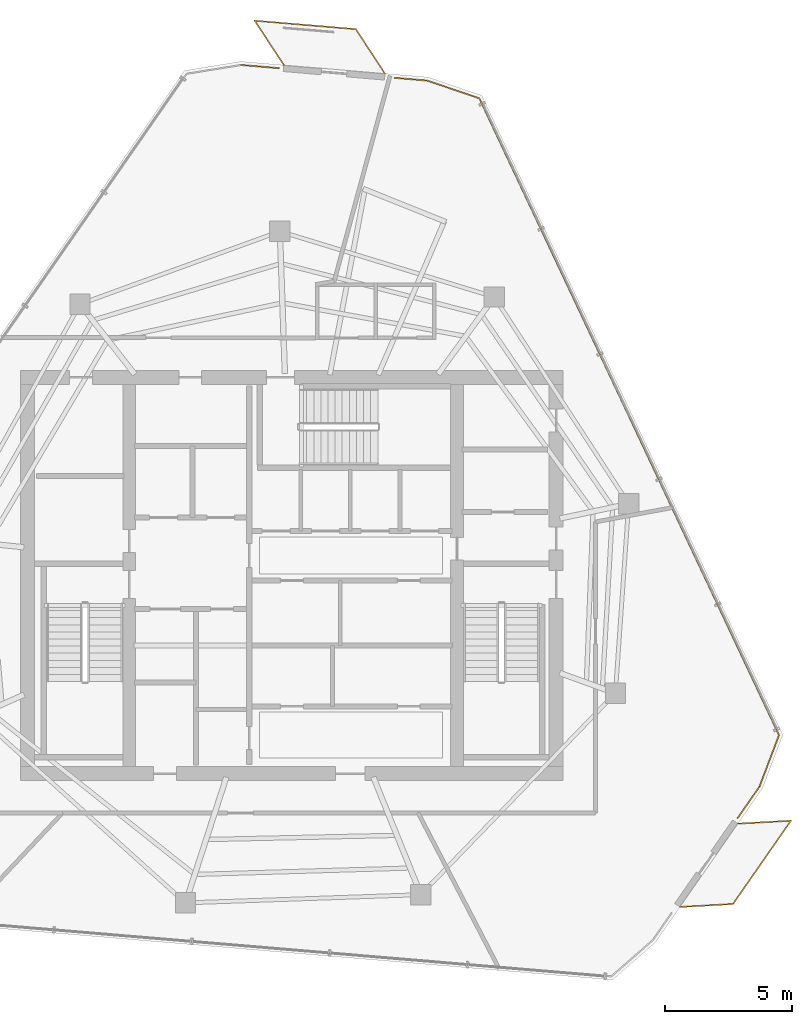
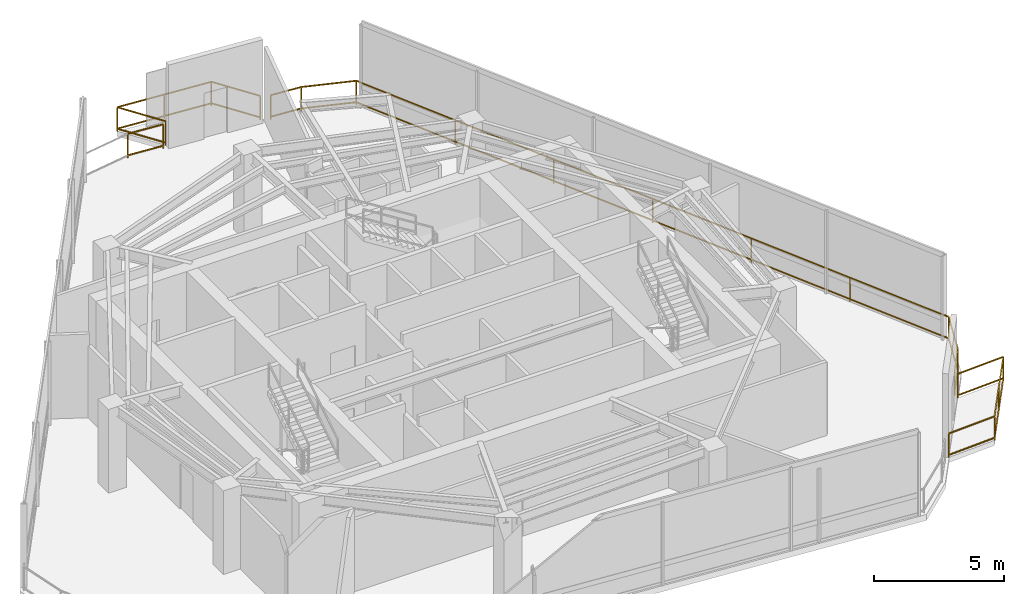
# One storey, part 19 of 19: 4 railings.
"""IFC4 building model written with IfcOpenShell, lengths in metres."""

from ifc_helpers import new_model, si_unit, direction, frame, origin, origin_2d, place, context, subcontext, project, spatial, rectangle, extrude, material, type_object, element, save


model = new_model("IFC4")

# Units and contexts
model_context = context("Model", 3, precision=1e-05, world=origin(), true_north=direction((0.0, 1.0)))
body_context = subcontext(model_context, "Body", "Model", "MODEL_VIEW")
ifc_project = project(units=[si_unit("LENGTHUNIT", "METRE"), si_unit("AREAUNIT", "SQUARE_METRE"), si_unit("VOLUMEUNIT", "CUBIC_METRE"), si_unit("PLANEANGLEUNIT", "RADIAN"), si_unit("MASSUNIT", "GRAM", prefix="KILO")], contexts=[model_context])

# Site, building, storey
site_placement = place(None, origin())
site = spatial("IfcSite", under=ifc_project, at=site_placement, CompositionType="ELEMENT")
building_placement = place(site_placement, origin())
building = spatial("IfcBuilding", under=site, at=building_placement, Name="Qarnah Convention Tower", CompositionType="ELEMENT")
storey_placement = place(building_placement, frame((0.0, 0.0, 275.10009765625)))
storey = spatial("IfcBuildingStorey", under=building, at=storey_placement, Name="L74", CompositionType="ELEMENT", Elevation=275.10009765625)

# Railings
ifc_material = material(Name="Black anodised aluminium", Category="aluminium")
railing_type = type_object("IfcRailingType", Name="RL-EXT-GUARD-1150", PredefinedType="GUARDRAIL", material=ifc_material)
railing_1_placement = place(storey_placement, frame((35.196044921875, 46.491943359375, 0.0)))
element("IfcRailing", 1, at=railing_1_placement, inside=storey, type_object=railing_type, Name="L74 slab-edge perimeter safety guard 01", PredefinedType="GUARDRAIL", context=body_context, shape_type="SweptSolid", body=[
    extrude(rectangle(XDim=0.048095703125, YDim=0.048095703125, at=origin_2d()), frame((0.0, 0.0, 1.1259765625), z_axis=(0.996487311389, -0.083743884801, 0.0), x_axis=(0.083743884801, 0.996487311389, 0.0)), (0.0, 0.0, 1.0), 1.50439453125),
    extrude(rectangle(XDim=0.048095703125, YDim=0.048095703125, at=origin_2d()), frame((0.0, 0.0, 0.1201171875), z_axis=(0.996487311389, -0.083743884801, 0.0), x_axis=(0.083743884801, 0.996487311389, 0.0)), (0.0, 0.0, 1.0), 1.50439453125),
    extrude(rectangle(XDim=0.0419921875, YDim=0.0419921875, at=origin_2d()), origin(), (0.0, 0.0, 1.0), 1.101806640625),
    extrude(rectangle(XDim=0.0419921875, YDim=0.0419921875, at=origin_2d()), frame((1.4990234375, -0.1259765625, 0.0)), (0.0, 0.0, 1.0), 1.101806640625),
])
railing_2_placement = place(storey_placement, frame((41.237060546875, 45.985107421875, 0.0)))
element("IfcRailing", 2, at=railing_2_placement, inside=storey, type_object=railing_type, Name="L74 slab-edge perimeter safety guard 02", PredefinedType="GUARDRAIL", context=body_context, shape_type="SweptSolid", body=[
    extrude(rectangle(XDim=0.048095703125, YDim=0.048095703125, at=origin_2d()), frame((0.0, 0.0, 1.1259765625), z_axis=(0.996497422656, -0.083623481386, 0.0), x_axis=(0.083623481386, 0.996497422656, 0.0)), (0.0, 0.0, 1.0), 1.29345703125),
    extrude(rectangle(XDim=0.048095703125, YDim=0.048095703125, at=origin_2d()), frame((0.0, 0.0, 0.1201171875), z_axis=(0.996497422656, -0.083623481386, 0.0), x_axis=(0.083623481386, 0.996497422656, 0.0)), (0.0, 0.0, 1.0), 1.29345703125),
    extrude(rectangle(XDim=0.048095703125, YDim=0.048095703125, at=origin_2d()), frame((1.288818359375, -0.108154296875, 1.1259765625), z_axis=(0.946681353258, -0.322171406852, 0.0), x_axis=(0.322171406852, 0.946681353258, 0.0)), (0.0, 0.0, 1.0), 2.16650390625),
    extrude(rectangle(XDim=0.048095703125, YDim=0.048095703125, at=origin_2d()), frame((1.288818359375, -0.108154296875, 0.1201171875), z_axis=(0.946681353258, -0.322171406852, 0.0), x_axis=(0.322171406852, 0.946681353258, 0.0)), (0.0, 0.0, 1.0), 2.16650390625),
    extrude(rectangle(XDim=0.048095703125, YDim=0.048095703125, at=origin_2d()), frame((3.33984375, -0.80615234375, 1.1259765625), z_axis=(0.425765203064, -0.904833681877, 0.0), x_axis=(0.904833681877, 0.425765203064, 0.0)), (0.0, 0.0, 1.0), 27.701171875),
    extrude(rectangle(XDim=0.048095703125, YDim=0.048095703125, at=origin_2d()), frame((3.33984375, -0.80615234375, 0.1201171875), z_axis=(0.425765203064, -0.904833681877, 0.0), x_axis=(0.904833681877, 0.425765203064, 0.0)), (0.0, 0.0, 1.0), 27.701171875),
    extrude(rectangle(XDim=0.048095703125, YDim=0.048095703125, at=origin_2d()), frame((15.134033203125, -25.87109375, 1.1259765625), z_axis=(-0.355048349277, -0.934847939333, 0.0), x_axis=(0.934847939333, -0.355048349277, 0.0)), (0.0, 0.0, 1.0), 2.166015625),
    extrude(rectangle(XDim=0.048095703125, YDim=0.048095703125, at=origin_2d()), frame((15.134033203125, -25.87109375, 0.1201171875), z_axis=(-0.355048349277, -0.934847939333, 0.0), x_axis=(0.934847939333, -0.355048349277, 0.0)), (0.0, 0.0, 1.0), 2.166015625),
    extrude(rectangle(XDim=0.048095703125, YDim=0.048095703125, at=origin_2d()), frame((14.364990234375, -27.89599609375, 1.1259765625), z_axis=(-0.570593530907, -0.821232623857, 0.0), x_axis=(0.821232623857, -0.570593530907, 0.0)), (0.0, 0.0, 1.0), 1.50390625),
    extrude(rectangle(XDim=0.048095703125, YDim=0.048095703125, at=origin_2d()), frame((14.364990234375, -27.89599609375, 0.1201171875), z_axis=(-0.570593530907, -0.821232623857, 0.0), x_axis=(0.821232623857, -0.570593530907, 0.0)), (0.0, 0.0, 1.0), 1.50390625),
    extrude(rectangle(XDim=0.0419921875, YDim=0.0419921875, at=origin_2d()), origin(), (0.0, 0.0, 1.0), 1.101806640625),
    extrude(rectangle(XDim=0.0419921875, YDim=0.0419921875, at=origin_2d()), frame((1.288818359375, -0.108154296875, 0.0)), (0.0, 0.0, 1.0), 1.101806640625),
    extrude(rectangle(XDim=0.0419921875, YDim=0.0419921875, at=origin_2d()), frame((3.33984375, -0.80615234375, 0.0)), (0.0, 0.0, 1.0), 1.101806640625),
    extrude(rectangle(XDim=0.0419921875, YDim=0.0419921875, at=origin_2d()), frame((5.3056640625, -4.983642578125, 0.0)), (0.0, 0.0, 1.0), 1.101806640625),
    extrude(rectangle(XDim=0.0419921875, YDim=0.0419921875, at=origin_2d()), frame((7.271240234375, -9.1611328125, 0.0)), (0.0, 0.0, 1.0), 1.101806640625),
    extrude(rectangle(XDim=0.0419921875, YDim=0.0419921875, at=origin_2d()), frame((9.23681640625, -13.338623046875, 0.0)), (0.0, 0.0, 1.0), 1.101806640625),
    extrude(rectangle(XDim=0.0419921875, YDim=0.0419921875, at=origin_2d()), frame((11.20263671875, -17.51611328125, 0.0)), (0.0, 0.0, 1.0), 1.101806640625),
    extrude(rectangle(XDim=0.0419921875, YDim=0.0419921875, at=origin_2d()), frame((13.16845703125, -21.693603515625, 0.0)), (0.0, 0.0, 1.0), 1.101806640625),
    extrude(rectangle(XDim=0.0419921875, YDim=0.0419921875, at=origin_2d()), frame((15.134033203125, -25.87109375, 0.0)), (0.0, 0.0, 1.0), 1.101806640625),
    extrude(rectangle(XDim=0.0419921875, YDim=0.0419921875, at=origin_2d()), frame((14.364990234375, -27.89599609375, 0.0)), (0.0, 0.0, 1.0), 1.101806640625),
    extrude(rectangle(XDim=0.0419921875, YDim=0.0419921875, at=origin_2d()), frame((13.5068359375, -29.131103515625, 0.0)), (0.0, 0.0, 1.0), 1.101806640625),
])
railing_3_placement = place(storey_placement, frame((36.8798828125, 46.486083984375, 0.0)))
element("IfcRailing", 3, at=railing_3_placement, inside=storey, type_object=railing_type, Name="L74 balcony safety guard BAL-L74-C1", PredefinedType="GUARDRAIL", context=body_context, shape_type="SweptSolid", body=[
    extrude(rectangle(XDim=0.048095703125, YDim=0.048095703125, at=origin_2d()), frame((0.0, 0.0, 1.1259765625), z_axis=(-0.547739309182, 0.836649059747, 0.0), x_axis=(-0.836649059747, -0.547739309182, 0.0)), (0.0, 0.0, 1.0), 2.093994140625),
    extrude(rectangle(XDim=0.048095703125, YDim=0.048095703125, at=origin_2d()), frame((0.0, 0.0, 0.1201171875), z_axis=(-0.547739309182, 0.836649059747, 0.0), x_axis=(-0.836649059747, -0.547739309182, 0.0)), (0.0, 0.0, 1.0), 2.093994140625),
    extrude(rectangle(XDim=0.048095703125, YDim=0.048095703125, at=origin_2d()), frame((-1.14697265625, 1.751953125, 1.1259765625), z_axis=(0.99650819437, -0.083495021124, 0.0), x_axis=(0.083495021124, 0.99650819437, 0.0)), (0.0, 0.0, 1.0), 4.0),
    extrude(rectangle(XDim=0.048095703125, YDim=0.048095703125, at=origin_2d()), frame((-1.14697265625, 1.751953125, 0.1201171875), z_axis=(0.99650819437, -0.083495021124, 0.0), x_axis=(0.083495021124, 0.99650819437, 0.0)), (0.0, 0.0, 1.0), 4.0),
    extrude(rectangle(XDim=0.048095703125, YDim=0.048095703125, at=origin_2d()), frame((2.839111328125, 1.41796875, 1.1259765625), z_axis=(0.547472265861, -0.836823827405, 0.0), x_axis=(0.836823827405, 0.547472265861, 0.0)), (0.0, 0.0, 1.0), 2.094970703125),
    extrude(rectangle(XDim=0.048095703125, YDim=0.048095703125, at=origin_2d()), frame((2.839111328125, 1.41796875, 0.1201171875), z_axis=(0.547472265861, -0.836823827405, 0.0), x_axis=(0.836823827405, 0.547472265861, 0.0)), (0.0, 0.0, 1.0), 2.094970703125),
    extrude(rectangle(XDim=0.0419921875, YDim=0.0419921875, at=origin_2d()), origin(), (0.0, 0.0, 1.0), 1.101806640625),
    extrude(rectangle(XDim=0.0419921875, YDim=0.0419921875, at=origin_2d()), frame((-1.14697265625, 1.751953125, 0.0)), (0.0, 0.0, 1.0), 1.101806640625),
    extrude(rectangle(XDim=0.0419921875, YDim=0.0419921875, at=origin_2d()), frame((0.84619140625, 1.5849609375, 0.0)), (0.0, 0.0, 1.0), 1.101806640625),
    extrude(rectangle(XDim=0.0419921875, YDim=0.0419921875, at=origin_2d()), frame((2.839111328125, 1.41796875, 0.0)), (0.0, 0.0, 1.0), 1.101806640625),
    extrude(rectangle(XDim=0.0419921875, YDim=0.0419921875, at=origin_2d()), frame((3.986083984375, -0.335205078125, 0.0)), (0.0, 0.0, 1.0), 1.101806640625),
])
railing_4_placement = place(storey_placement, frame((54.7548828125, 16.634033203125, 0.0)))
element("IfcRailing", 4, at=railing_4_placement, inside=storey, type_object=railing_type, Name="L74 balcony safety guard BAL-L74-C3", PredefinedType="GUARDRAIL", context=body_context, shape_type="SweptSolid", body=[
    extrude(rectangle(XDim=0.048095703125, YDim=0.048095703125, at=origin_2d()), frame((0.0, 0.0, 1.1259765625), z_axis=(0.998439840437, 0.055838024935, 0.0), x_axis=(-0.055838024935, 0.998439840437, 0.0)), (0.0, 0.0, 1.0), 2.09423828125),
    extrude(rectangle(XDim=0.048095703125, YDim=0.048095703125, at=origin_2d()), frame((0.0, 0.0, 0.1201171875), z_axis=(0.998439840437, 0.055838024935, 0.0), x_axis=(-0.055838024935, 0.998439840437, 0.0)), (0.0, 0.0, 1.0), 2.09423828125),
    extrude(rectangle(XDim=0.048095703125, YDim=0.048095703125, at=origin_2d()), frame((2.091064453125, 0.116943359375, 1.1259765625), z_axis=(-0.570808703944, -0.821083079537, 0.0), x_axis=(0.821083079537, -0.570808703944, 0.0)), (0.0, 0.0, 1.0), 3.99951171875),
    extrude(rectangle(XDim=0.048095703125, YDim=0.048095703125, at=origin_2d()), frame((2.091064453125, 0.116943359375, 0.1201171875), z_axis=(-0.570808703944, -0.821083079537, 0.0), x_axis=(0.821083079537, -0.570808703944, 0.0)), (0.0, 0.0, 1.0), 3.99951171875),
    extrude(rectangle(XDim=0.048095703125, YDim=0.048095703125, at=origin_2d()), frame((-0.19189453125, -3.1669921875, 1.1259765625), z_axis=(-0.998439840437, -0.055838024935, 0.0), x_axis=(0.055838024935, -0.998439840437, 0.0)), (0.0, 0.0, 1.0), 2.09423828125),
    extrude(rectangle(XDim=0.048095703125, YDim=0.048095703125, at=origin_2d()), frame((-0.19189453125, -3.1669921875, 0.1201171875), z_axis=(-0.998439840437, -0.055838024935, 0.0), x_axis=(0.055838024935, -0.998439840437, 0.0)), (0.0, 0.0, 1.0), 2.09423828125),
    extrude(rectangle(XDim=0.0419921875, YDim=0.0419921875, at=origin_2d()), origin(), (0.0, 0.0, 1.0), 1.101806640625),
    extrude(rectangle(XDim=0.0419921875, YDim=0.0419921875, at=origin_2d()), frame((2.091064453125, 0.116943359375, 0.0)), (0.0, 0.0, 1.0), 1.101806640625),
    extrude(rectangle(XDim=0.0419921875, YDim=0.0419921875, at=origin_2d()), frame((0.94970703125, -1.52490234375, 0.0)), (0.0, 0.0, 1.0), 1.101806640625),
    extrude(rectangle(XDim=0.0419921875, YDim=0.0419921875, at=origin_2d()), frame((-0.19189453125, -3.1669921875, 0.0)), (0.0, 0.0, 1.0), 1.101806640625),
    extrude(rectangle(XDim=0.0419921875, YDim=0.0419921875, at=origin_2d()), frame((-2.282958984375, -3.283935546875, 0.0)), (0.0, 0.0, 1.0), 1.101806640625),
])

save(model, "model.ifc")
